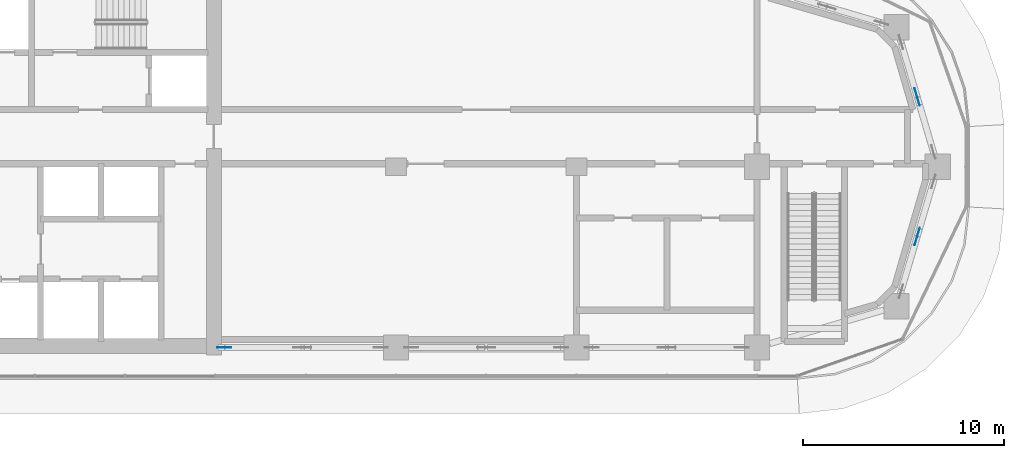
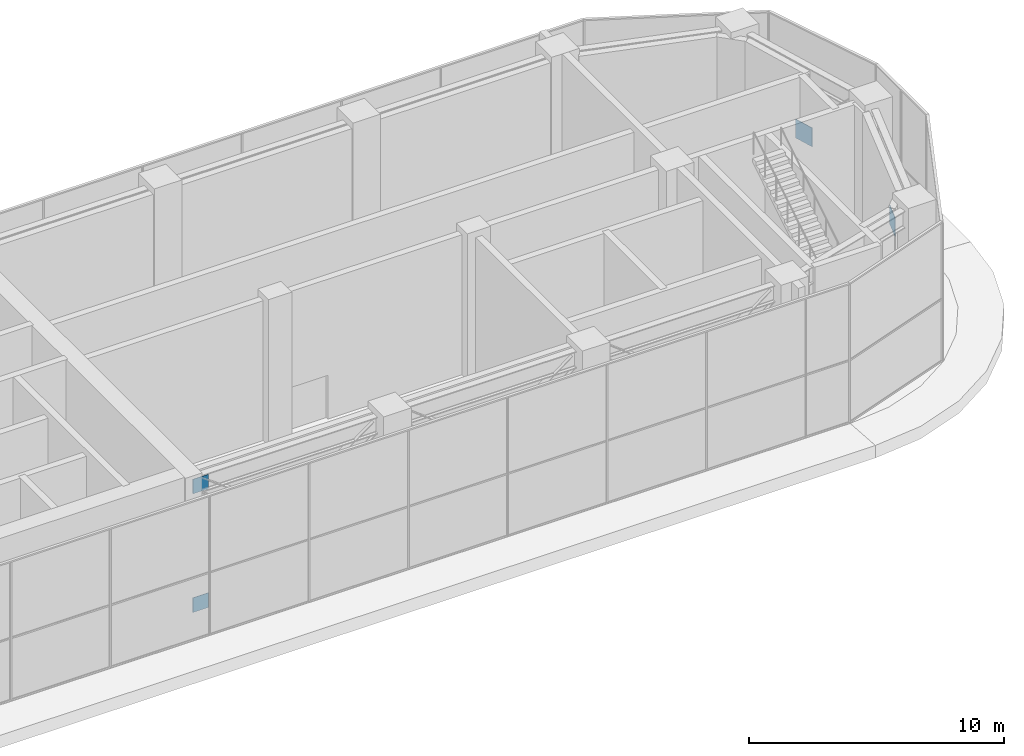
# One storey, part 22 of 35: 4 discrete accessories.
"""IFC4 building model written with IfcOpenShell, lengths in metres."""

import ifcopenshell
import ifcopenshell.guid

model = None  # the IFC model being written
_history = None  # IfcOwnerHistory: only IFC2X3 demands one
_inside = {}  # id of a spatial element -> (the spatial element, [elements in it])
_under = {}  # id of a project, library or spatial element -> (it, [spatial elements below it])
_declared = {}  # id of a project -> (the project, [libraries it declares])
_typed = {}  # id of a type object -> (the type object, [elements of that type])
_made_of = {}  # id of a material, layer set ... -> (it, [elements and type objects made of it])


def new_model(schema):
    """Start an empty IFC model of exactly this schema.

    Asked for "IFC4X3", IfcOpenShell would pick the latest addendum, in which some entities
    have other attributes; the version numbers below select the first issue.
    IFC2X3 requires an IfcOwnerHistory on every rooted entity: one is made here for all.
    """
    global model, _history
    if schema == "IFC4X3":
        model = ifcopenshell.file(schema_version=(4, 3, 0, 0))
    else:
        model = ifcopenshell.file(schema=schema)
    _inside.clear()
    _under.clear()
    _declared.clear()
    _typed.clear()
    _made_of.clear()
    _history = None
    if model.schema == "IFC2X3":
        org = make("IfcOrganization", Name="unknown")
        user = make(
            "IfcPersonAndOrganization",
            ThePerson=make("IfcPerson", FamilyName="unknown"),
            TheOrganization=org,
        )
        app = make(
            "IfcApplication",
            ApplicationDeveloper=org,
            Version="unknown",
            ApplicationFullName="unknown",
            ApplicationIdentifier="unknown",
        )
        _history = make(
            "IfcOwnerHistory",
            OwningUser=user,
            OwningApplication=app,
            ChangeAction="ADDED",
            CreationDate=0,
        )
    return model


def make(cls, **values):
    """One entity of the class cls with the attributes given. An attribute that is None is left unset."""
    return model.create_entity(
        cls, **{name: value for name, value in values.items() if value is not None}
    )


def rooted(cls, **values):
    """An entity with a GlobalId (a new one), such as an element, a storey or a relation."""
    return make(cls, GlobalId=ifcopenshell.guid.new(), OwnerHistory=_history, **values)


def si_unit(unit_type, name, prefix=None):
    """IfcSIUnit, for example si_unit("LENGTHUNIT", "METRE", prefix="MILLI")."""
    return make("IfcSIUnit", UnitType=unit_type, Prefix=prefix, Name=name)


def assignment(units):
    """IfcUnitAssignment: the units of a project."""
    return None if units is None else make("IfcUnitAssignment", Units=units)


def point(xyz):
    """IfcCartesianPoint."""
    return None if xyz is None else make("IfcCartesianPoint", Coordinates=xyz)


def direction(xyz):
    """IfcDirection."""
    return None if xyz is None else make("IfcDirection", DirectionRatios=xyz)


def frame(location, z_axis=None, x_axis=None):
    """IfcAxis2Placement3D, a coordinate frame: its origin and axes. An axis left out is left unset."""
    return make(
        "IfcAxis2Placement3D",
        Location=point(location),
        Axis=direction(z_axis),
        RefDirection=direction(x_axis),
    )


def frame_2d(location, x_axis=None):
    """IfcAxis2Placement2D, a coordinate frame in the plane: its origin and x axis."""
    return make(
        "IfcAxis2Placement2D", Location=point(location), RefDirection=direction(x_axis)
    )


def origin():
    """The frame at (0, 0, 0) with its axes left unset."""
    return frame((0.0, 0.0, 0.0))


def origin_2d():
    """The frame at (0, 0) in the plane with its x axis left unset."""
    return frame_2d((0.0, 0.0))


def place(relative_to, where):
    """IfcLocalPlacement: puts the frame where relative to a parent placement (None: the world)."""
    return make(
        "IfcLocalPlacement", PlacementRelTo=relative_to, RelativePlacement=where
    )


def context(
    kind, dimensions, precision=None, world=None, true_north=None, identifier=None
):
    """IfcGeometricRepresentationContext, for example the 3D "Model" context."""
    return make(
        "IfcGeometricRepresentationContext",
        ContextIdentifier=identifier,
        ContextType=kind,
        CoordinateSpaceDimension=dimensions,
        Precision=precision,
        WorldCoordinateSystem=world,
        TrueNorth=true_north,
    )


def subcontext(parent, identifier, kind, view, scale=None):
    """IfcGeometricRepresentationSubContext, for example "Body" below "Model"."""
    return make(
        "IfcGeometricRepresentationSubContext",
        ContextIdentifier=identifier,
        ContextType=kind,
        ParentContext=parent,
        TargetScale=scale,
        TargetView=view,
    )


def project(units=None, contexts=None):
    """IfcProject with its units and contexts."""
    return rooted(
        "IfcProject",
        Name="project",
        RepresentationContexts=contexts,
        UnitsInContext=assignment(units),
    )


def spatial(cls, under=None, at=None, **own):
    """A site, building, storey or space (cls), placed at a placement, below another one or the project."""
    s = rooted(cls, ObjectPlacement=at, **own)
    if under is not None:
        _under.setdefault(under.id(), (under, []))[1].append(s)
    return s


def profile(cls, at=None, kind="AREA", **sizes):
    """A parametric profile (cls). Its sizes go by their IFC names, for example OverallWidth=200.0."""
    return make(cls, ProfileType=kind, Position=at, **sizes)


def rectangle(**sizes):
    """IfcRectangleProfileDef."""
    return profile("IfcRectangleProfileDef", **sizes)


def extrude(swept, where, along, depth):
    """IfcExtrudedAreaSolid: the profile swept, set in the frame where, extruded along a direction by depth."""
    return make(
        "IfcExtrudedAreaSolid",
        SweptArea=swept,
        Position=where,
        ExtrudedDirection=direction(along),
        Depth=depth,
    )


def shape(context_of_items, identifier, shape_type, items):
    """IfcShapeRepresentation: the items that make up one representation, for example the "Body"."""
    return make(
        "IfcShapeRepresentation",
        ContextOfItems=context_of_items,
        RepresentationIdentifier=identifier,
        RepresentationType=shape_type,
        Items=items,
    )


def material(Name=None, Category=None):
    """IfcMaterial."""
    return make("IfcMaterial", Name=Name, Category=Category)


def layer(
    of_material, thickness, ventilated=None, Name=None, Category=None, Priority=None
):
    """IfcMaterialLayer: one layer of a wall or slab, of a material (None: an air gap)."""
    return make(
        "IfcMaterialLayer",
        Material=of_material,
        LayerThickness=thickness,
        IsVentilated=ventilated,
        Name=Name,
        Category=Category,
        Priority=Priority,
    )


def layer_set(layers, Name=None):
    """IfcMaterialLayerSet."""
    return make("IfcMaterialLayerSet", MaterialLayers=layers, LayerSetName=Name)


def made_of(thing, what):
    """Note that an element or type object is made of a material, layer set ...; save() writes the relation."""
    if what is not None:
        _made_of.setdefault(what.id(), (what, []))[1].append(thing)
    return thing


def type_object(cls, material=None, **own):
    """A type object (cls), such as IfcWallType, which elements share."""
    return made_of(rooted(cls, **own), material)


def element(
    cls,
    number,
    at=None,
    inside=None,
    cuts=None,
    type_object=None,
    material=None,
    context=None,
    identifier="Body",
    shape_type=None,
    held_by="IfcProductDefinitionShape",
    body=None,
    shapes=None,
    **own,
):
    """One element of the class cls, such as IfcWall. Its Tag is "e" and its number.

    at: its placement. inside: the storey or other place that contains it. cuts: it is an
    opening in that element (IfcRelVoidsElement). A single representation is given by context,
    identifier, shape_type and body (its items); several are given by shapes. held_by: the class
    of the entity that holds the representations. save() writes the other relations.
    """
    e = rooted(cls, Tag="e%d" % number, ObjectPlacement=at, **own)
    if body is not None:
        shapes = [shape(context, identifier, shape_type, body)]
    if shapes is not None:
        e.Representation = make(held_by, Representations=shapes)
    if inside is not None:
        _inside.setdefault(inside.id(), (inside, []))[1].append(e)
    if cuts is not None:
        rooted(
            "IfcRelVoidsElement", RelatingBuildingElement=cuts, RelatedOpeningElement=e
        )
    if type_object is not None:
        _typed.setdefault(type_object.id(), (type_object, []))[1].append(e)
    return made_of(e, material)


def aggregate(whole, parts):
    """IfcRelAggregates: a whole, such as a stair, and the parts it consists of."""
    return rooted("IfcRelAggregates", RelatingObject=whole, RelatedObjects=parts)


def save(model, path):
    """Write the relations noted so far, then the file.

    IfcRelAggregates (storeys below a building ...), IfcRelContainedInSpatialStructure (elements
    in a storey), IfcRelDefinesByType, IfcRelAssociatesMaterial and IfcRelDeclares: one each for
    every whole, place, type object, material and project.
    """
    for whole, parts in _under.values():
        aggregate(whole, parts)
    for where, things in _inside.values():
        rooted(
            "IfcRelContainedInSpatialStructure",
            RelatedElements=things,
            RelatingStructure=where,
        )
    for kind, things in _typed.values():
        rooted("IfcRelDefinesByType", RelatedObjects=things, RelatingType=kind)
    for what, things in _made_of.values():
        rooted("IfcRelAssociatesMaterial", RelatedObjects=things, RelatingMaterial=what)
    for by, libraries in _declared.values():
        rooted("IfcRelDeclares", RelatingContext=by, RelatedDefinitions=libraries)
    model.write(path)


model = new_model("IFC4")

# Units and contexts
model_context = context("Model", 3, precision=1e-05, world=origin(), true_north=direction((0.0, 1.0)))
body_context = subcontext(model_context, "Body", "Model", "MODEL_VIEW")
ifc_project = project(units=[si_unit("LENGTHUNIT", "METRE"), si_unit("AREAUNIT", "SQUARE_METRE"), si_unit("VOLUMEUNIT", "CUBIC_METRE"), si_unit("PLANEANGLEUNIT", "RADIAN"), si_unit("MASSUNIT", "GRAM", prefix="KILO")], contexts=[model_context])

# Site, building, storey
site_placement = place(None, origin())
site = spatial("IfcSite", under=ifc_project, at=site_placement, CompositionType="ELEMENT")
building_placement = place(site_placement, origin())
building = spatial("IfcBuilding", under=site, at=building_placement, Name="Ogive Portal Towers", CompositionType="ELEMENT")
storey_placement = place(building_placement, frame((0.0, 0.0, 135.199951171875)))
storey = spatial("IfcBuildingStorey", under=building, at=storey_placement, Name="L33", CompositionType="ELEMENT", Elevation=135.199951171875)

# Discrete accessories
ifc_material = material(Name="Steel S355", Category="steel")
ifc_layer_1 = layer(ifc_material, 0.02001953125)
ifc_layer_set_1 = layer_set([ifc_layer_1], Name="GUSSET PLATE 700x700x20")
discrete_accessory_type_1 = type_object("IfcDiscreteAccessoryType", Name="GUSSET PLATE 700x700x20", PredefinedType="BRACKET", material=ifc_layer_set_1)
for number, where, z_axis, x_axis, name in (
    (1, (58.94140625, 21.5, 0.16015625), (0.0, 0.0, 1.0), (1.0, 0.0, 0.0), "Gusset plate"),
    (2, (58.94140625, 21.5, 5.83984375), (0.0, 0.0, 1.0), (1.0, 0.0, 0.0), "Gusset plate"),
):
    element("IfcDiscreteAccessory", number, at=place(storey_placement, frame(where, z_axis=z_axis, x_axis=x_axis)), inside=storey, type_object=discrete_accessory_type_1, Name=name, PredefinedType="BRACKET", context=body_context, shape_type="SweptSolid", body=[
        extrude(rectangle(XDim=0.699951171875, YDim=0.02001953125, at=origin_2d()), origin(), (0.0, 0.0, 1.0), 0.699951171875),
    ])
ifc_layer_2 = layer(ifc_material, 0.02490234375)
ifc_layer_set_2 = layer_set([ifc_layer_2], Name="GUSSET PLATE 900x900x25")
discrete_accessory_type_2 = type_object("IfcDiscreteAccessoryType", Name="GUSSET PLATE 900x900x25", PredefinedType="BRACKET", material=ifc_layer_set_2)
for number, where, z_axis, x_axis, name in (
    (3, (93.47509765625, 27.02490234375, 2.900146484375), (0.0, 0.0, 1.0), (0.28291067547, 0.959146260851, 0.0), "Gusset plate"),
    (4, (93.47509765625, 33.97509765625, 2.900146484375), (0.0, 0.0, 1.0), (-0.28291067547, 0.959146260851, 0.0), "Gusset plate"),
):
    element("IfcDiscreteAccessory", number, at=place(storey_placement, frame(where, z_axis=z_axis, x_axis=x_axis)), inside=storey, type_object=discrete_accessory_type_2, Name=name, PredefinedType="BRACKET", context=body_context, shape_type="SweptSolid", body=[
        extrude(rectangle(XDim=0.89990234375, YDim=0.02490234375, at=origin_2d()), origin(), (0.0, 0.0, 1.0), 0.89990234375),
    ])

save(model, "model.ifc")
